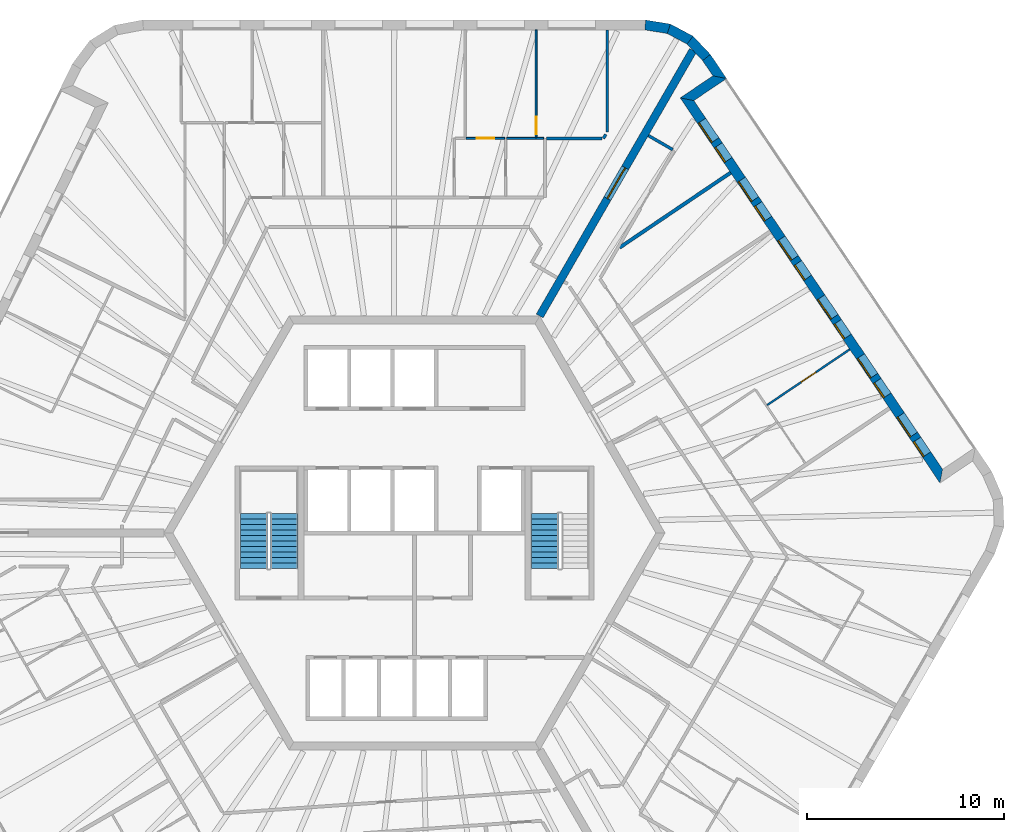
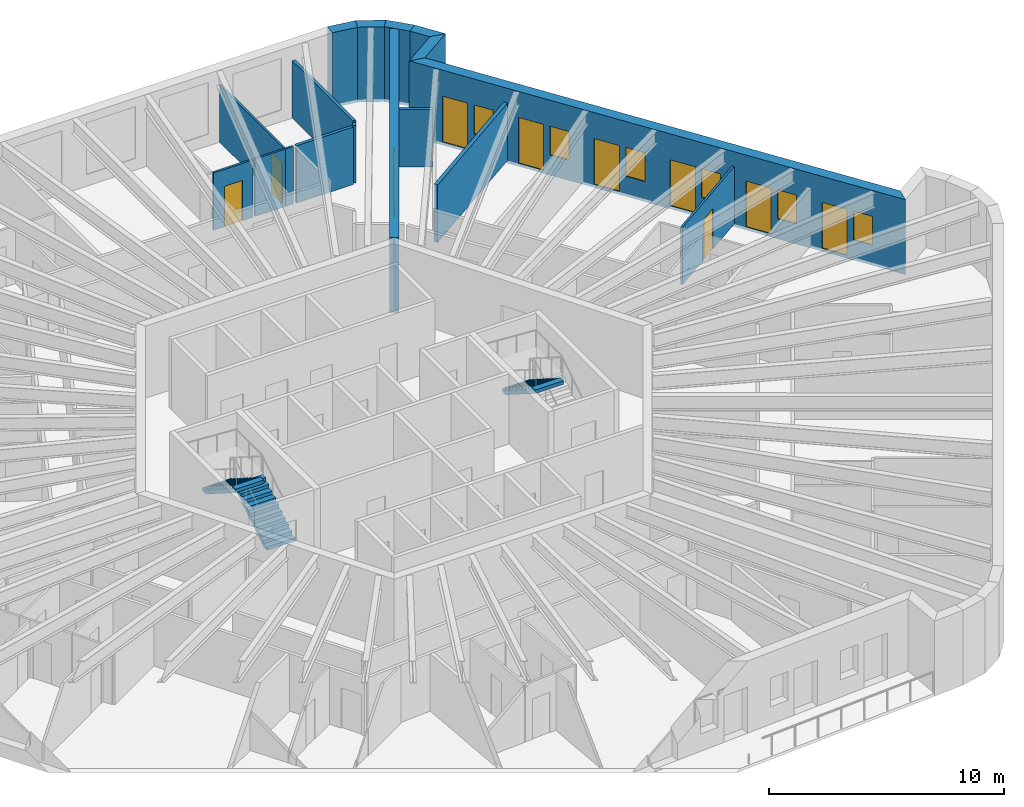
# One storey, part 10 of 12: 17 walls, 10 doors, 6 windows, 3 stair flights, 16 openings, 2 elements without a shape of their own.
"""IFC4 building model written with IfcOpenShell, lengths in metres."""

from ifc_helpers import new_model, si_unit, direction, frame, frame_2d, origin, place, context, subcontext, project, spatial, polyline, rectangle, outline, extrude, material, layer, layer_set, type_object, element, fill, aggregate, save


model = new_model("IFC4")

# Units and contexts
model_context = context("Model", 3, precision=1e-05, world=origin(), true_north=direction((0.0, 1.0)))
body_context = subcontext(model_context, "Body", "Model", "MODEL_VIEW")
ifc_project = project(units=[si_unit("LENGTHUNIT", "METRE"), si_unit("AREAUNIT", "SQUARE_METRE"), si_unit("VOLUMEUNIT", "CUBIC_METRE"), si_unit("PLANEANGLEUNIT", "RADIAN"), si_unit("MASSUNIT", "GRAM", prefix="KILO")], contexts=[model_context])

# Site, building, storey
site_placement = place(None, origin())
site = spatial("IfcSite", under=ifc_project, at=site_placement, CompositionType="ELEMENT")
building_placement = place(site_placement, origin())
building = spatial("IfcBuilding", under=site, at=building_placement, Name="Tarnside Tower", CompositionType="ELEMENT")
storey_placement = place(building_placement, frame((0.0, 0.0, 306.89990234375)))
storey = spatial("IfcBuildingStorey", under=building, at=storey_placement, Name="L74", CompositionType="ELEMENT", Elevation=306.89990234375)

# Walls
ifc_material_1 = material(Name="Gypsum board partition on steel studs", Category="steel")
ifc_layer_1 = layer(ifc_material_1, 0.10009765625)
ifc_layer_set_1 = layer_set([ifc_layer_1], Name="Bathroom wall 100")
wall_type_1 = type_object("IfcWallType", Name="Bathroom wall 100", PredefinedType="PARTITIONING", material=ifc_layer_set_1)
wall_1_placement = place(storey_placement, frame((6.5537109375, 20.0, 0.0), z_axis=(0.0, 0.0, 1.0), x_axis=(-1.0, 0.0, 0.0)))
element("IfcWall", 1, at=wall_1_placement, inside=storey, type_object=wall_type_1, Name="Bathroom wall 24090", PredefinedType="PARTITIONING", context=body_context, shape_type="SweptSolid", body=[
    extrude(rectangle(XDim=0.37841796875, YDim=0.10009765625, at=frame_2d((0.189208984375, 0.0))), origin(), (0.0, 0.0, 1.0), 2.98779296875),
])
wall_2_placement = place(storey_placement, frame((6.17529296875, 20.0, 0.0), z_axis=(0.0, 0.0, 1.0), x_axis=(-1.0, 0.0, 0.0)))
element("IfcWall", 2, at=wall_2_placement, inside=storey, type_object=wall_type_1, Name="Bathroom wall 24091", PredefinedType="PARTITIONING", context=body_context, shape_type="SweptSolid", body=[
    extrude(rectangle(XDim=1.500732421875, YDim=0.10009765625, at=frame_2d((0.75048828125, 0.0))), origin(), (0.0, 0.0, 1.0), 2.98779296875),
])

# Wall, opening, door
ifc_material_2 = material(Name="Concrete C60/75", Category="concrete")
ifc_layer_2 = layer(ifc_material_2, 0.39990234375)
ifc_layer_set_2 = layer_set([ifc_layer_2], Name="Core wall Z3 400 C60/75")
wall_type_2 = type_object("IfcWallType", Name="Core wall Z3 400 C60/75", PredefinedType="SHEAR", material=ifc_layer_set_2)
wall_3_placement = place(storey_placement, frame((6.350830078125, 11.0, -0.14990234375), z_axis=(0.0, 0.0, 1.0), x_axis=(0.499998894578, 0.866026041999, 0.0)))
wall_3 = element("IfcWall", 3, at=wall_3_placement, inside=storey, type_object=wall_type_2, Name="L74 spine wall 1", PredefinedType="SHEAR", context=body_context, shape_type="SweptSolid", body=[
    extrude(rectangle(XDim=15.54443359375, YDim=0.39990234375, at=frame_2d((7.772216796875, 0.0))), origin(), (0.0, 0.0, 1.0), 3.89990234375),
])
opening_1_placement = place(wall_3_placement, frame((6.872314453125, 0.0, 0.14990234375)))
opening_1 = element("IfcOpeningElement", 4, at=opening_1_placement, cuts=wall_3, Name="Opening CD-SPN", PredefinedType="OPENING", context=body_context, shape_type="SweptSolid", body=[
    extrude(rectangle(XDim=1.800048828125, YDim=2.39990234375, at=frame_2d((0.89990234375, 1.199951171875))), frame((0.0, 0.2099609375, 0.0), z_axis=(0.0, -1.0, 0.0), x_axis=(1.0, 0.0, 0.0)), (0.0, 0.0, 1.0), 0.419921875),
])
ifc_material_3 = material(Name="Steel fire door", Category="steel")
door_type_1 = type_object("IfcDoorType", Name="Spine passage double door FD60 1800x2400", OperationType="NOTDEFINED", PredefinedType="DOOR", material=ifc_material_3)
door_1_placement = place(opening_1_placement, origin())
door_1 = element("IfcDoor", 5, at=door_1_placement, inside=storey, type_object=door_type_1, Name="L74 spine passage door 1", OperationType="DOUBLE_DOOR_SINGLE_SWING", OverallHeight=2.39990234375, OverallWidth=1.800048828125, PredefinedType="DOOR", context=body_context, shape_type="SweptSolid", body=[
    extrude(rectangle(XDim=1.800048828125, YDim=2.39990234375, at=frame_2d((0.89990234375, 1.199951171875))), frame((0.0, 0.02490234375, 0.0), z_axis=(0.0, -1.0, 0.0), x_axis=(1.0, 0.0, 0.0)), (0.0, 0.0, 1.0), 0.050048828125),
])
fill(opening_1, door_1)

# Walls
ifc_layer_3 = layer(ifc_material_1, 0.14990234375)
ifc_layer_set_3 = layer_set([ifc_layer_3], Name="Corridor wall 150 EI 60")
wall_type_3 = type_object("IfcWallType", Name="Corridor wall 150 EI 60", PredefinedType="PARTITIONING", material=ifc_layer_set_3)
wall_4_placement = place(storey_placement, frame((9.775146484375, 25.5, 0.0), z_axis=(0.0, 0.0, 1.0), x_axis=(0.0, -1.0, 0.0)))
element("IfcWall", 6, at=wall_4_placement, inside=storey, type_object=wall_type_3, Name="Corridor wall 24005", PredefinedType="PARTITIONING", context=body_context, shape_type="SweptSolid", body=[
    extrude(rectangle(XDim=5.1689453125, YDim=0.14990234375, at=frame_2d((2.58447265625, 0.0))), origin(), (0.0, 0.0, 1.0), 2.98779296875),
])
wall_5_placement = place(storey_placement, frame((9.7001953125, 20.201171875, 0.0), z_axis=(0.0, 0.0, 1.0), x_axis=(-0.500207565094, -0.865905532852, 0.0)))
element("IfcWall", 7, at=wall_5_placement, inside=storey, type_object=wall_type_3, Name="Corridor wall 24006", PredefinedType="PARTITIONING", context=body_context, shape_type="SweptSolid", body=[
    extrude(rectangle(XDim=0.232421875, YDim=0.14990234375, at=frame_2d((0.1162109375, 0.0))), origin(), (0.0, 0.0, 1.0), 2.98779296875),
])
wall_6_placement = place(storey_placement, frame((9.497314453125, 20.0, 0.0), z_axis=(0.0, 0.0, 1.0), x_axis=(-1.0, 0.0, 0.0)))
element("IfcWall", 8, at=wall_6_placement, inside=storey, type_object=wall_type_3, Name="Corridor wall 24007", PredefinedType="PARTITIONING", context=body_context, shape_type="SweptSolid", body=[
    extrude(rectangle(XDim=2.799072265625, YDim=0.14990234375, at=frame_2d((1.3994140625, 0.0))), origin(), (0.0, 0.0, 1.0), 2.98779296875),
])
wall_7_placement = place(storey_placement, frame((13.09423828125, 19.429931640625, 0.0), z_axis=(0.0, 0.0, 1.0), x_axis=(-0.866062911188, 0.499935029643, 0.0)))
element("IfcWall", 9, at=wall_7_placement, inside=storey, type_object=wall_type_3, Name="Corridor wall 24070", PredefinedType="PARTITIONING", context=body_context, shape_type="SweptSolid", body=[
    extrude(rectangle(XDim=1.425048828125, YDim=0.14990234375, at=frame_2d((0.71240234375, 0.0))), origin(), (0.0, 0.0, 1.0), 2.98779296875),
])
ifc_layer_4 = layer(ifc_material_1, 0.179931640625)
ifc_layer_set_4 = layer_set([ifc_layer_4], Name="Demising wall 180 EI 60")
wall_type_4 = type_object("IfcWallType", Name="Demising wall 180 EI 60", PredefinedType="PARTITIONING", material=ifc_layer_set_4)
wall_8_placement = place(storey_placement, frame((16.029296875, 18.260498046875, 0.0), z_axis=(0.0, 0.0, 1.0), x_axis=(-0.82904538001, -0.559181328268, 0.0)))
element("IfcWall", 10, at=wall_8_placement, inside=storey, type_object=wall_type_4, Name="Demising wall 24166", PredefinedType="PARTITIONING", context=body_context, shape_type="SweptSolid", body=[
    extrude(rectangle(XDim=6.78955078125, YDim=0.179931640625, at=frame_2d((3.394775390625, 0.0))), origin(), (0.0, 0.0, 1.0), 2.98779296875),
])

# Wall, openings, doors, windows
ifc_material_4 = material(Name="Dark zinc cladding")
ifc_layer_5 = layer(ifc_material_4, 0.10205078125)
ifc_material_5 = material(Name="Concrete C60/75 precast", Category="concrete")
ifc_layer_6 = layer(ifc_material_5, 0.298095703125)
ifc_material_6 = material(Name="Mineral wool insulation")
ifc_layer_7 = layer(ifc_material_6, 0.10009765625)
ifc_layer_set_5 = layer_set([ifc_layer_5, ifc_layer_6, ifc_layer_7], Name="Loggia wall 500 zinc faced")
wall_type_5 = type_object("IfcWallType", Name="Loggia wall 500 zinc faced", PredefinedType="SOLIDWALL", material=ifc_layer_set_5)
wall_9_placement = place(storey_placement, frame((26.705810546875, 2.87890625, -0.14990234375), z_axis=(0.0, 0.0, 1.0), x_axis=(-0.559197891507, 0.829034208061, 0.0)))
wall_9 = element("IfcWall", 11, at=wall_9_placement, inside=storey, type_object=wall_type_5, Name="Tube wall L74 F6 back 30", PredefinedType="SOLIDWALL", context=body_context, shape_type="SweptSolid", body=[
    extrude(outline(polyline([(0.25, -0.25), (22.794677734375, -0.25), (23.294677734375, 0.25), (-0.25, 0.25), (0.25, -0.25)])), origin(), (0.0, 0.0, 1.0), 3.89990234375),
])
opening_2_placement = place(wall_9_placement, frame((1.322509765625, 0.0, 1.050048828125)))
opening_2 = element("IfcOpeningElement", 12, at=opening_2_placement, cuts=wall_9, Name="Opening WL500", PredefinedType="OPENING", context=body_context, shape_type="SweptSolid", body=[
    extrude(rectangle(XDim=0.89990234375, YDim=1.5, at=frame_2d((0.449951171875, 0.75))), frame((0.0, 0.260009765625, 0.0), z_axis=(0.0, -1.0, 0.0), x_axis=(1.0, 0.0, 0.0)), (0.0, 0.0, 1.0), 0.52001953125),
])
opening_3_placement = place(wall_9_placement, frame((2.5224609375, 0.0, 0.14990234375)))
opening_3 = element("IfcOpeningElement", 13, at=opening_3_placement, cuts=wall_9, Name="Opening DB500", PredefinedType="OPENING", context=body_context, shape_type="SweptSolid", body=[
    extrude(rectangle(XDim=1.199951171875, YDim=2.39990234375, at=frame_2d((0.60009765625, 1.199951171875))), frame((0.0, 0.260009765625, 0.0), z_axis=(0.0, -1.0, 0.0), x_axis=(1.0, 0.0, 0.0)), (0.0, 0.0, 1.0), 0.52001953125),
])
opening_4_placement = place(wall_9_placement, frame((4.92236328125, 0.0, 1.050048828125)))
opening_4 = element("IfcOpeningElement", 14, at=opening_4_placement, cuts=wall_9, Name="Opening WL500", PredefinedType="OPENING", context=body_context, shape_type="SweptSolid", body=[
    extrude(rectangle(XDim=0.89990234375, YDim=1.5, at=frame_2d((0.449951171875, 0.75))), frame((0.0, 0.260009765625, 0.0), z_axis=(0.0, -1.0, 0.0), x_axis=(1.0, 0.0, 0.0)), (0.0, 0.0, 1.0), 0.52001953125),
])
opening_5_placement = place(wall_9_placement, frame((6.122314453125, 0.0, 0.14990234375)))
opening_5 = element("IfcOpeningElement", 15, at=opening_5_placement, cuts=wall_9, Name="Opening DB500", PredefinedType="OPENING", context=body_context, shape_type="SweptSolid", body=[
    extrude(rectangle(XDim=1.199951171875, YDim=2.39990234375, at=frame_2d((0.60009765625, 1.199951171875))), frame((0.0, 0.260009765625, 0.0), z_axis=(0.0, -1.0, 0.0), x_axis=(1.0, 0.0, 0.0)), (0.0, 0.0, 1.0), 0.52001953125),
])
opening_6_placement = place(wall_9_placement, frame((8.5224609375, 0.0, 1.050048828125)))
opening_6 = element("IfcOpeningElement", 16, at=opening_6_placement, cuts=wall_9, Name="Opening WL500", PredefinedType="OPENING", context=body_context, shape_type="SweptSolid", body=[
    extrude(rectangle(XDim=0.89990234375, YDim=1.5, at=frame_2d((0.449951171875, 0.75))), frame((0.0, 0.260009765625, 0.0), z_axis=(0.0, -1.0, 0.0), x_axis=(1.0, 0.0, 0.0)), (0.0, 0.0, 1.0), 0.52001953125),
])
opening_7_placement = place(wall_9_placement, frame((9.722412109375, 0.0, 0.14990234375)))
opening_7 = element("IfcOpeningElement", 17, at=opening_7_placement, cuts=wall_9, Name="Opening DB500", PredefinedType="OPENING", context=body_context, shape_type="SweptSolid", body=[
    extrude(rectangle(XDim=1.199951171875, YDim=2.39990234375, at=frame_2d((0.60009765625, 1.199951171875))), frame((0.0, 0.260009765625, 0.0), z_axis=(0.0, -1.0, 0.0), x_axis=(1.0, 0.0, 0.0)), (0.0, 0.0, 1.0), 0.52001953125),
])
opening_8_placement = place(wall_9_placement, frame((12.122314453125, 0.0, 1.050048828125)))
opening_8 = element("IfcOpeningElement", 18, at=opening_8_placement, cuts=wall_9, Name="Opening WL500", PredefinedType="OPENING", context=body_context, shape_type="SweptSolid", body=[
    extrude(rectangle(XDim=0.89990234375, YDim=1.5, at=frame_2d((0.449951171875, 0.75))), frame((0.0, 0.260009765625, 0.0), z_axis=(0.0, -1.0, 0.0), x_axis=(1.0, 0.0, 0.0)), (0.0, 0.0, 1.0), 0.52001953125),
])
opening_9_placement = place(wall_9_placement, frame((13.322509765625, 0.0, 0.14990234375)))
opening_9 = element("IfcOpeningElement", 19, at=opening_9_placement, cuts=wall_9, Name="Opening DB500", PredefinedType="OPENING", context=body_context, shape_type="SweptSolid", body=[
    extrude(rectangle(XDim=1.199951171875, YDim=2.39990234375, at=frame_2d((0.60009765625, 1.199951171875))), frame((0.0, 0.260009765625, 0.0), z_axis=(0.0, -1.0, 0.0), x_axis=(1.0, 0.0, 0.0)), (0.0, 0.0, 1.0), 0.52001953125),
])
opening_10_placement = place(wall_9_placement, frame((15.722412109375, 0.0, 1.050048828125)))
opening_10 = element("IfcOpeningElement", 20, at=opening_10_placement, cuts=wall_9, Name="Opening WL500", PredefinedType="OPENING", context=body_context, shape_type="SweptSolid", body=[
    extrude(rectangle(XDim=0.89990234375, YDim=1.5, at=frame_2d((0.449951171875, 0.75))), frame((0.0, 0.260009765625, 0.0), z_axis=(0.0, -1.0, 0.0), x_axis=(1.0, 0.0, 0.0)), (0.0, 0.0, 1.0), 0.52001953125),
])
opening_11_placement = place(wall_9_placement, frame((16.92236328125, 0.0, 0.14990234375)))
opening_11 = element("IfcOpeningElement", 21, at=opening_11_placement, cuts=wall_9, Name="Opening DB500", PredefinedType="OPENING", context=body_context, shape_type="SweptSolid", body=[
    extrude(rectangle(XDim=1.199951171875, YDim=2.39990234375, at=frame_2d((0.60009765625, 1.199951171875))), frame((0.0, 0.260009765625, 0.0), z_axis=(0.0, -1.0, 0.0), x_axis=(1.0, 0.0, 0.0)), (0.0, 0.0, 1.0), 0.52001953125),
])
opening_12_placement = place(wall_9_placement, frame((19.322509765625, 0.0, 1.050048828125)))
opening_12 = element("IfcOpeningElement", 22, at=opening_12_placement, cuts=wall_9, Name="Opening WL500", PredefinedType="OPENING", context=body_context, shape_type="SweptSolid", body=[
    extrude(rectangle(XDim=0.89990234375, YDim=1.5, at=frame_2d((0.449951171875, 0.75))), frame((0.0, 0.260009765625, 0.0), z_axis=(0.0, -1.0, 0.0), x_axis=(1.0, 0.0, 0.0)), (0.0, 0.0, 1.0), 0.52001953125),
])
opening_13_placement = place(wall_9_placement, frame((20.5224609375, 0.0, 0.14990234375)))
opening_13 = element("IfcOpeningElement", 23, at=opening_13_placement, cuts=wall_9, Name="Opening DB500", PredefinedType="OPENING", context=body_context, shape_type="SweptSolid", body=[
    extrude(rectangle(XDim=1.199951171875, YDim=2.39990234375, at=frame_2d((0.60009765625, 1.199951171875))), frame((0.0, 0.260009765625, 0.0), z_axis=(0.0, -1.0, 0.0), x_axis=(1.0, 0.0, 0.0)), (0.0, 0.0, 1.0), 0.52001953125),
])
ifc_material_7 = material(Name="Aluminium-framed double glazing", Category="aluminium")
door_type_2 = type_object("IfcDoorType", Name="Balcony sliding door 1200 x 2400 in 500 wall", OperationType="SLIDING_TO_LEFT", PredefinedType="DOOR", material=ifc_material_7)
door_2_placement = place(opening_3_placement, frame((0.0, 0.1748046875, 0.0)))
door_2 = element("IfcDoor", 24, at=door_2_placement, inside=storey, type_object=door_type_2, Name="E.BD.L74.F6.00", OperationType="SLIDING_TO_LEFT", OverallHeight=2.39990234375, OverallWidth=1.199951171875, PredefinedType="DOOR", context=body_context, shape_type="SweptSolid", body=[
    extrude(rectangle(XDim=1.199951171875, YDim=2.39990234375, at=frame_2d((0.60009765625, 1.199951171875))), frame((0.0, 0.02490234375, 0.0), z_axis=(0.0, -1.0, 0.0), x_axis=(1.0, 0.0, 0.0)), (0.0, 0.0, 1.0), 0.050048828125),
])
fill(opening_3, door_2)
door_3_placement = place(opening_5_placement, frame((0.0, 0.1748046875, 0.0)))
door_3 = element("IfcDoor", 25, at=door_3_placement, inside=storey, type_object=door_type_2, Name="E.BD.L74.F6.01", OperationType="SLIDING_TO_LEFT", OverallHeight=2.39990234375, OverallWidth=1.199951171875, PredefinedType="DOOR", context=body_context, shape_type="SweptSolid", body=[
    extrude(rectangle(XDim=1.199951171875, YDim=2.39990234375, at=frame_2d((0.60009765625, 1.199951171875))), frame((0.0, 0.02490234375, 0.0), z_axis=(0.0, -1.0, 0.0), x_axis=(1.0, 0.0, 0.0)), (0.0, 0.0, 1.0), 0.050048828125),
])
fill(opening_5, door_3)
door_4_placement = place(opening_7_placement, frame((0.0, 0.1748046875, 0.0)))
door_4 = element("IfcDoor", 26, at=door_4_placement, inside=storey, type_object=door_type_2, Name="E.BD.L74.F6.02", OperationType="SLIDING_TO_LEFT", OverallHeight=2.39990234375, OverallWidth=1.199951171875, PredefinedType="DOOR", context=body_context, shape_type="SweptSolid", body=[
    extrude(rectangle(XDim=1.199951171875, YDim=2.39990234375, at=frame_2d((0.60009765625, 1.199951171875))), frame((0.0, 0.02490234375, 0.0), z_axis=(0.0, -1.0, 0.0), x_axis=(1.0, 0.0, 0.0)), (0.0, 0.0, 1.0), 0.050048828125),
])
fill(opening_7, door_4)
door_5_placement = place(opening_9_placement, frame((0.0, 0.1748046875, 0.0)))
door_5 = element("IfcDoor", 27, at=door_5_placement, inside=storey, type_object=door_type_2, Name="E.BD.L74.F6.03", OperationType="SLIDING_TO_LEFT", OverallHeight=2.39990234375, OverallWidth=1.199951171875, PredefinedType="DOOR", context=body_context, shape_type="SweptSolid", body=[
    extrude(rectangle(XDim=1.199951171875, YDim=2.39990234375, at=frame_2d((0.60009765625, 1.199951171875))), frame((0.0, 0.02490234375, 0.0), z_axis=(0.0, -1.0, 0.0), x_axis=(1.0, 0.0, 0.0)), (0.0, 0.0, 1.0), 0.050048828125),
])
fill(opening_9, door_5)
door_6_placement = place(opening_11_placement, frame((0.0, 0.1748046875, 0.0)))
door_6 = element("IfcDoor", 28, at=door_6_placement, inside=storey, type_object=door_type_2, Name="E.BD.L74.F6.04", OperationType="SLIDING_TO_LEFT", OverallHeight=2.39990234375, OverallWidth=1.199951171875, PredefinedType="DOOR", context=body_context, shape_type="SweptSolid", body=[
    extrude(rectangle(XDim=1.199951171875, YDim=2.39990234375, at=frame_2d((0.60009765625, 1.199951171875))), frame((0.0, 0.02490234375, 0.0), z_axis=(0.0, -1.0, 0.0), x_axis=(1.0, 0.0, 0.0)), (0.0, 0.0, 1.0), 0.050048828125),
])
fill(opening_11, door_6)
door_7_placement = place(opening_13_placement, frame((0.0, 0.1748046875, 0.0)))
door_7 = element("IfcDoor", 29, at=door_7_placement, inside=storey, type_object=door_type_2, Name="E.BD.L74.F6.05", OperationType="SLIDING_TO_LEFT", OverallHeight=2.39990234375, OverallWidth=1.199951171875, PredefinedType="DOOR", context=body_context, shape_type="SweptSolid", body=[
    extrude(rectangle(XDim=1.199951171875, YDim=2.39990234375, at=frame_2d((0.60009765625, 1.199951171875))), frame((0.0, 0.02490234375, 0.0), z_axis=(0.0, -1.0, 0.0), x_axis=(1.0, 0.0, 0.0)), (0.0, 0.0, 1.0), 0.050048828125),
])
fill(opening_13, door_7)
window_type = type_object("IfcWindowType", Name="Loggia window 900 x 1500 in 500 wall", PartitioningType="SINGLE_PANEL", PredefinedType="WINDOW", material=ifc_material_7)
window_1_placement = place(opening_2_placement, frame((0.0, 0.179931640625, 0.0)))
window_1 = element("IfcWindow", 30, at=window_1_placement, inside=storey, type_object=window_type, Name="E.LW.L74.F6.00", OverallHeight=1.5, OverallWidth=0.89990234375, PartitioningType="SINGLE_PANEL", PredefinedType="WINDOW", context=body_context, shape_type="SweptSolid", body=[
    extrude(rectangle(XDim=0.89990234375, YDim=1.5, at=frame_2d((0.449951171875, 0.75))), frame((0.0, 0.030029296875, 0.0), z_axis=(0.0, -1.0, 0.0), x_axis=(1.0, 0.0, 0.0)), (0.0, 0.0, 1.0), 0.06005859375),
])
fill(opening_2, window_1)
window_2_placement = place(opening_4_placement, frame((0.0, 0.179931640625, 0.0)))
window_2 = element("IfcWindow", 31, at=window_2_placement, inside=storey, type_object=window_type, Name="E.LW.L74.F6.01", OverallHeight=1.5, OverallWidth=0.89990234375, PartitioningType="SINGLE_PANEL", PredefinedType="WINDOW", context=body_context, shape_type="SweptSolid", body=[
    extrude(rectangle(XDim=0.89990234375, YDim=1.5, at=frame_2d((0.449951171875, 0.75))), frame((0.0, 0.030029296875, 0.0), z_axis=(0.0, -1.0, 0.0), x_axis=(1.0, 0.0, 0.0)), (0.0, 0.0, 1.0), 0.06005859375),
])
fill(opening_4, window_2)
window_3_placement = place(opening_6_placement, frame((0.0, 0.179931640625, 0.0)))
window_3 = element("IfcWindow", 32, at=window_3_placement, inside=storey, type_object=window_type, Name="E.LW.L74.F6.02", OverallHeight=1.5, OverallWidth=0.89990234375, PartitioningType="SINGLE_PANEL", PredefinedType="WINDOW", context=body_context, shape_type="SweptSolid", body=[
    extrude(rectangle(XDim=0.89990234375, YDim=1.5, at=frame_2d((0.449951171875, 0.75))), frame((0.0, 0.030029296875, 0.0), z_axis=(0.0, -1.0, 0.0), x_axis=(1.0, 0.0, 0.0)), (0.0, 0.0, 1.0), 0.06005859375),
])
fill(opening_6, window_3)
window_4_placement = place(opening_8_placement, frame((0.0, 0.179931640625, 0.0)))
window_4 = element("IfcWindow", 33, at=window_4_placement, inside=storey, type_object=window_type, Name="E.LW.L74.F6.03", OverallHeight=1.5, OverallWidth=0.89990234375, PartitioningType="SINGLE_PANEL", PredefinedType="WINDOW", context=body_context, shape_type="SweptSolid", body=[
    extrude(rectangle(XDim=0.89990234375, YDim=1.5, at=frame_2d((0.449951171875, 0.75))), frame((0.0, 0.030029296875, 0.0), z_axis=(0.0, -1.0, 0.0), x_axis=(1.0, 0.0, 0.0)), (0.0, 0.0, 1.0), 0.06005859375),
])
fill(opening_8, window_4)
window_5_placement = place(opening_10_placement, frame((0.0, 0.179931640625, 0.0)))
window_5 = element("IfcWindow", 34, at=window_5_placement, inside=storey, type_object=window_type, Name="E.LW.L74.F6.04", OverallHeight=1.5, OverallWidth=0.89990234375, PartitioningType="SINGLE_PANEL", PredefinedType="WINDOW", context=body_context, shape_type="SweptSolid", body=[
    extrude(rectangle(XDim=0.89990234375, YDim=1.5, at=frame_2d((0.449951171875, 0.75))), frame((0.0, 0.030029296875, 0.0), z_axis=(0.0, -1.0, 0.0), x_axis=(1.0, 0.0, 0.0)), (0.0, 0.0, 1.0), 0.06005859375),
])
fill(opening_10, window_5)
window_6_placement = place(opening_12_placement, frame((0.0, 0.179931640625, 0.0)))
window_6 = element("IfcWindow", 35, at=window_6_placement, inside=storey, type_object=window_type, Name="E.LW.L74.F6.05", OverallHeight=1.5, OverallWidth=0.89990234375, PartitioningType="SINGLE_PANEL", PredefinedType="WINDOW", context=body_context, shape_type="SweptSolid", body=[
    extrude(rectangle(XDim=0.89990234375, YDim=1.5, at=frame_2d((0.449951171875, 0.75))), frame((0.0, 0.030029296875, 0.0), z_axis=(0.0, -1.0, 0.0), x_axis=(1.0, 0.0, 0.0)), (0.0, 0.0, 1.0), 0.06005859375),
])
fill(opening_12, window_6)

# Walls
wall_10_placement = place(storey_placement, frame((13.8193359375, 21.983642578125, -0.14990234375), z_axis=(0.0, 0.0, 1.0), x_axis=(0.829052389485, 0.559170935841, 0.0)))
element("IfcWall", 36, at=wall_10_placement, inside=storey, type_object=wall_type_5, Name="Tube wall L74 F6 return 31", PredefinedType="SOLIDWALL", context=body_context, shape_type="SweptSolid", body=[
    extrude(outline(polyline([(0.25, -0.25), (2.25, -0.25), (1.75, 0.25), (-0.25, 0.25), (0.25, -0.25)])), origin(), (0.0, 0.0, 1.0), 3.89990234375),
])
wall_11_placement = place(storey_placement, frame((15.4775390625, 23.10205078125, -0.14990234375), z_axis=(0.0, 0.0, 1.0), x_axis=(-0.559245726333, 0.829001940636, 0.0)))
element("IfcWall", 37, at=wall_11_placement, inside=storey, type_object=wall_type_5, Name="Tube wall L74 F6 stub 32", PredefinedType="SOLIDWALL", context=body_context, shape_type="SweptSolid", body=[
    extrude(outline(polyline([(-0.25, -0.25), (1.220703125, -0.25), (1.1796875, 0.25), (0.25, 0.25), (-0.25, -0.25)])), origin(), (0.0, 0.0, 1.0), 3.89990234375),
])

# Wall, opening, door
ifc_layer_8 = layer(ifc_material_1, 0.10009765625)
ifc_layer_set_6 = layer_set([ifc_layer_8], Name="Partition 100")
wall_type_6 = type_object("IfcWallType", Name="Partition 100", PredefinedType="PARTITIONING", material=ifc_layer_set_6)
wall_12_placement = place(storey_placement, frame((4.57861328125, 20.0, 0.0), z_axis=(0.0, 0.0, 1.0), x_axis=(-1.0, 0.0, 0.0)))
wall_12 = element("IfcWall", 38, at=wall_12_placement, inside=storey, type_object=wall_type_6, Name="Partition wall 24089", PredefinedType="PARTITIONING", context=body_context, shape_type="SweptSolid", body=[
    extrude(rectangle(XDim=1.953369140625, YDim=0.10009765625, at=frame_2d((0.9765625, 0.0))), origin(), (0.0, 0.0, 1.0), 2.98779296875),
])
opening_14_placement = place(wall_12_placement, frame((0.527587890625, 0.0, 0.0)))
opening_14 = element("IfcOpeningElement", 39, at=opening_14_placement, cuts=wall_12, Name="Opening D-I1", PredefinedType="OPENING", context=body_context, shape_type="SweptSolid", body=[
    extrude(rectangle(XDim=0.89990234375, YDim=2.10009765625, at=frame_2d((0.449951171875, 1.050048828125))), frame((0.0, 0.06005859375, 0.0), z_axis=(0.0, -1.0, 0.0), x_axis=(1.0, 0.0, 0.0)), (0.0, 0.0, 1.0), 0.1201171875),
])
ifc_material_8 = material(Name="Timber door leaf", Category="wood")
door_type_3 = type_object("IfcDoorType", Name="Internal door 900", OperationType="NOTDEFINED", PredefinedType="DOOR", material=ifc_material_8)
door_8_placement = place(opening_14_placement, origin())
door_8 = element("IfcDoor", 40, at=door_8_placement, inside=storey, type_object=door_type_3, Name="Internal door 24007", OperationType="SINGLE_SWING_RIGHT", OverallHeight=2.10009765625, OverallWidth=0.89990234375, PredefinedType="DOOR", context=body_context, shape_type="SweptSolid", body=[
    extrude(rectangle(XDim=0.89990234375, YDim=2.10009765625, at=frame_2d((0.449951171875, 1.050048828125))), frame((0.0, 0.02490234375, 0.0), z_axis=(0.0, -1.0, 0.0), x_axis=(1.0, 0.0, 0.0)), (0.0, 0.0, 1.0), 0.050048828125),
])
fill(opening_14, door_8)

wall_13_placement = place(storey_placement, frame((6.17529296875, 25.5, 0.0), z_axis=(0.0, 0.0, 1.0), x_axis=(0.0, -1.0, 0.0)))
wall_13 = element("IfcWall", 41, at=wall_13_placement, inside=storey, type_object=wall_type_6, Name="Partition wall 24092", PredefinedType="PARTITIONING", context=body_context, shape_type="SweptSolid", body=[
    extrude(rectangle(XDim=5.449951171875, YDim=0.10009765625, at=frame_2d((2.72509765625, 0.0))), origin(), (0.0, 0.0, 1.0), 2.98779296875),
])
opening_15_placement = place(wall_13_placement, frame((4.39990234375, 0.0, 0.0)))
opening_15 = element("IfcOpeningElement", 42, at=opening_15_placement, cuts=wall_13, Name="Opening D-I1", PredefinedType="OPENING", context=body_context, shape_type="SweptSolid", body=[
    extrude(rectangle(XDim=0.89990234375, YDim=2.10009765625, at=frame_2d((0.449951171875, 1.050048828125))), frame((0.0, 0.06005859375, 0.0), z_axis=(0.0, -1.0, 0.0), x_axis=(1.0, 0.0, 0.0)), (0.0, 0.0, 1.0), 0.1201171875),
])
door_9_placement = place(opening_15_placement, origin())
door_9 = element("IfcDoor", 43, at=door_9_placement, inside=storey, type_object=door_type_3, Name="Internal door 24006", OperationType="SINGLE_SWING_RIGHT", OverallHeight=2.10009765625, OverallWidth=0.89990234375, PredefinedType="DOOR", context=body_context, shape_type="SweptSolid", body=[
    extrude(rectangle(XDim=0.89990234375, YDim=2.10009765625, at=frame_2d((0.449951171875, 1.050048828125))), frame((0.0, 0.02490234375, 0.0), z_axis=(0.0, -1.0, 0.0), x_axis=(1.0, 0.0, 0.0)), (0.0, 0.0, 1.0), 0.050048828125),
])
fill(opening_15, door_9)

wall_14_placement = place(storey_placement, frame((17.8818359375, 6.483154296875, 0.0), z_axis=(0.0, 0.0, 1.0), x_axis=(0.829063268522, 0.559154805745, 0.0)))
wall_14 = element("IfcWall", 44, at=wall_14_placement, inside=storey, type_object=wall_type_6, Name="Partition wall 24161", PredefinedType="PARTITIONING", context=body_context, shape_type="SweptSolid", body=[
    extrude(rectangle(XDim=5.050048828125, YDim=0.10009765625, at=frame_2d((2.52490234375, 0.0))), origin(), (0.0, 0.0, 1.0), 2.98779296875),
])
opening_16_placement = place(wall_14_placement, frame((2.074951171875, 0.0, 0.0)))
opening_16 = element("IfcOpeningElement", 45, at=opening_16_placement, cuts=wall_14, Name="Opening D-I1", PredefinedType="OPENING", context=body_context, shape_type="SweptSolid", body=[
    extrude(rectangle(XDim=0.89990234375, YDim=2.10009765625, at=frame_2d((0.449951171875, 1.050048828125))), frame((0.0, 0.06005859375, 0.0), z_axis=(0.0, -1.0, 0.0), x_axis=(1.0, 0.0, 0.0)), (0.0, 0.0, 1.0), 0.1201171875),
])
door_10_placement = place(opening_16_placement, origin())
door_10 = element("IfcDoor", 46, at=door_10_placement, inside=storey, type_object=door_type_3, Name="Internal door 24062", OperationType="SINGLE_SWING_LEFT", OverallHeight=2.10009765625, OverallWidth=0.89990234375, PredefinedType="DOOR", context=body_context, shape_type="SweptSolid", body=[
    extrude(rectangle(XDim=0.89990234375, YDim=2.10009765625, at=frame_2d((0.449951171875, 1.050048828125))), frame((0.0, 0.02490234375, 0.0), z_axis=(0.0, -1.0, 0.0), x_axis=(1.0, 0.0, 0.0)), (0.0, 0.0, 1.0), 0.050048828125),
])
fill(opening_16, door_10)

# Walls
ifc_material_9 = material(Name="Facing brick", Category="masonry")
ifc_layer_9 = layer(ifc_material_9, 0.10205078125)
ifc_layer_10 = layer(ifc_material_5, 0.298095703125)
ifc_layer_11 = layer(ifc_material_6, 0.10009765625)
ifc_layer_set_7 = layer_set([ifc_layer_9, ifc_layer_10, ifc_layer_11], Name="Tube wall 500 brick faced")
wall_type_7 = type_object("IfcWallType", Name="Tube wall 500 brick faced", PredefinedType="SOLIDWALL", material=ifc_layer_set_7)
wall_15_placement = place(storey_placement, frame((14.806396484375, 24.096923828125, -0.14990234375), z_axis=(0.0, 0.0, 1.0), x_axis=(-0.686234452793, 0.727380420275, 0.0)))
element("IfcWall", 47, at=wall_15_placement, inside=storey, type_object=wall_type_7, Name="Tube wall L74 F6 chord 33", PredefinedType="SOLIDWALL", context=body_context, shape_type="SweptSolid", body=[
    extrude(outline(polyline([(-0.0205078125, -0.25), (1.25732421875, -0.25), (1.17529296875, 0.25), (0.0205078125, 0.25), (-0.0205078125, -0.25)])), origin(), (0.0, 0.0, 1.0), 3.89990234375),
])
wall_16_placement = place(storey_placement, frame((13.9716796875, 24.981689453125, -0.14990234375), z_axis=(0.0, 0.0, 1.0), x_axis=(-0.882902492938, 0.469556373575, 0.0)))
element("IfcWall", 48, at=wall_16_placement, inside=storey, type_object=wall_type_7, Name="Tube wall L74 F6 chord 34", PredefinedType="SOLIDWALL", context=body_context, shape_type="SweptSolid", body=[
    extrude(outline(polyline([(-0.041015625, -0.25), (1.257080078125, -0.25), (1.175048828125, 0.25), (0.041015625, 0.25), (-0.041015625, -0.25)])), origin(), (0.0, 0.0, 1.0), 3.89990234375),
])
wall_17_placement = place(storey_placement, frame((12.89794921875, 25.552734375, -0.14990234375), z_axis=(0.0, 0.0, 1.0), x_axis=(-0.986765617372, 0.16215306464, 0.0)))
element("IfcWall", 49, at=wall_17_placement, inside=storey, type_object=wall_type_7, Name="Tube wall L74 F6 chord 35", PredefinedType="SOLIDWALL", context=body_context, shape_type="SweptSolid", body=[
    extrude(outline(polyline([(-0.041015625, -0.25), (1.237060546875, -0.25), (1.196044921875, 0.25), (0.041015625, 0.25), (-0.041015625, -0.25)])), origin(), (0.0, 0.0, 1.0), 3.89990234375),
])

# Stair, stair flight
ifc_material_10 = material(Name="Concrete C40/50", Category="concrete")
stair_type = type_object("IfcStairType", Name="Exit stair 1400 clear", PredefinedType="HALF_TURN_STAIR", material=ifc_material_10)
stair_1_placement = place(storey_placement, origin())
stair_1 = element("IfcStair", 50, at=stair_1_placement, inside=storey, type_object=stair_type, Name="L74 Exit stair 1", PredefinedType="HALF_TURN_STAIR")
stair_flight_type = type_object("IfcStairFlightType", Name="Exit stair flight 1400", PredefinedType="STRAIGHT", material=ifc_material_10)
stair_flight_1_placement = place(storey_placement, frame((6.60009765625, 1.0, 1.9501953125), z_axis=(0.0, 0.0, 1.0), x_axis=(0.0, -1.0, 0.0)))
stair_flight_1 = element("IfcStairFlight", 51, at=stair_flight_1_placement, type_object=stair_flight_type, Name="ST1 flight 2", NumberOfRisers=11, NumberOfTreads=10, PredefinedType="STRAIGHT", RiserHeight=0.177272727, TreadLength=0.28, context=body_context, shape_type="SweptSolid", body=[
    extrude(outline(polyline([(0.0, 0.0), (0.0, 0.17724609375), (0.280029296875, 0.17724609375), (0.280029296875, 0.3544921875), (0.56005859375, 0.3544921875), (0.56005859375, 0.53173828125), (0.840087890625, 0.53173828125), (0.840087890625, 0.708984375), (1.1201171875, 0.708984375), (1.1201171875, 0.886474609375), (1.39990234375, 0.886474609375), (1.39990234375, 1.063720703125), (1.679931640625, 1.063720703125), (1.679931640625, 1.240966796875), (1.9599609375, 1.240966796875), (1.9599609375, 1.418212890625), (2.239990234375, 1.418212890625), (2.239990234375, 1.595458984375), (2.52001953125, 1.595458984375), (2.52001953125, 1.772705078125), (2.800048828125, 1.772705078125), (2.800048828125, 1.949951171875), (2.800048828125, 1.59521484375), (0.2802734375, 0.0), (0.0, 0.0)])), frame((0.0, 0.699951171875, 0.0), z_axis=(0.0, -1.0, 0.0), x_axis=(1.0, 0.0, 0.0)), (0.0, 0.0, 1.0), 1.39990234375),
])
aggregate(stair_1, [stair_flight_1])

# Stair, stair flights
stair_2_placement = place(storey_placement, origin())
stair_2 = element("IfcStair", 52, at=stair_2_placement, inside=storey, type_object=stair_type, Name="L74 Exit stair 2", PredefinedType="HALF_TURN_STAIR")
stair_flight_2_placement = place(storey_placement, frame((-6.60009765625, -1.800048828125, 0.0), z_axis=(0.0, 0.0, 1.0), x_axis=(0.0, 1.0, 0.0)))
stair_flight_2 = element("IfcStairFlight", 53, at=stair_flight_2_placement, type_object=stair_flight_type, Name="ST2 flight 1", NumberOfRisers=11, NumberOfTreads=10, PredefinedType="STRAIGHT", RiserHeight=0.177272727, TreadLength=0.28, context=body_context, shape_type="SweptSolid", body=[
    extrude(outline(polyline([(0.0, 0.0), (0.0, 0.17724609375), (0.280029296875, 0.17724609375), (0.280029296875, 0.3544921875), (0.56005859375, 0.3544921875), (0.56005859375, 0.53173828125), (0.840087890625, 0.53173828125), (0.840087890625, 0.708984375), (1.1201171875, 0.708984375), (1.1201171875, 0.886474609375), (1.39990234375, 0.886474609375), (1.39990234375, 1.063720703125), (1.679931640625, 1.063720703125), (1.679931640625, 1.240966796875), (1.9599609375, 1.240966796875), (1.9599609375, 1.418212890625), (2.239990234375, 1.418212890625), (2.239990234375, 1.595458984375), (2.52001953125, 1.595458984375), (2.52001953125, 1.772705078125), (2.800048828125, 1.772705078125), (2.800048828125, 1.949951171875), (2.800048828125, 1.59521484375), (0.2802734375, 0.0), (0.0, 0.0)])), frame((0.0, 0.699951171875, 0.0), z_axis=(0.0, -1.0, 0.0), x_axis=(1.0, 0.0, 0.0)), (0.0, 0.0, 1.0), 1.39990234375),
])
stair_flight_3_placement = place(storey_placement, frame((-8.14990234375, 1.0, 1.9501953125), z_axis=(0.0, 0.0, 1.0), x_axis=(0.0, -1.0, 0.0)))
stair_flight_3 = element("IfcStairFlight", 54, at=stair_flight_3_placement, type_object=stair_flight_type, Name="ST2 flight 2", NumberOfRisers=11, NumberOfTreads=10, PredefinedType="STRAIGHT", RiserHeight=0.177272727, TreadLength=0.28, context=body_context, shape_type="SweptSolid", body=[
    extrude(outline(polyline([(0.0, 0.0), (0.0, 0.17724609375), (0.280029296875, 0.17724609375), (0.280029296875, 0.3544921875), (0.56005859375, 0.3544921875), (0.56005859375, 0.53173828125), (0.840087890625, 0.53173828125), (0.840087890625, 0.708984375), (1.1201171875, 0.708984375), (1.1201171875, 0.886474609375), (1.39990234375, 0.886474609375), (1.39990234375, 1.063720703125), (1.679931640625, 1.063720703125), (1.679931640625, 1.240966796875), (1.9599609375, 1.240966796875), (1.9599609375, 1.418212890625), (2.239990234375, 1.418212890625), (2.239990234375, 1.595458984375), (2.52001953125, 1.595458984375), (2.52001953125, 1.772705078125), (2.800048828125, 1.772705078125), (2.800048828125, 1.949951171875), (2.800048828125, 1.59521484375), (0.2802734375, 0.0), (0.0, 0.0)])), frame((0.0, 0.699951171875, 0.0), z_axis=(0.0, -1.0, 0.0), x_axis=(1.0, 0.0, 0.0)), (0.0, 0.0, 1.0), 1.39990234375),
])
aggregate(stair_2, [stair_flight_2, stair_flight_3])

save(model, "model.ifc")
